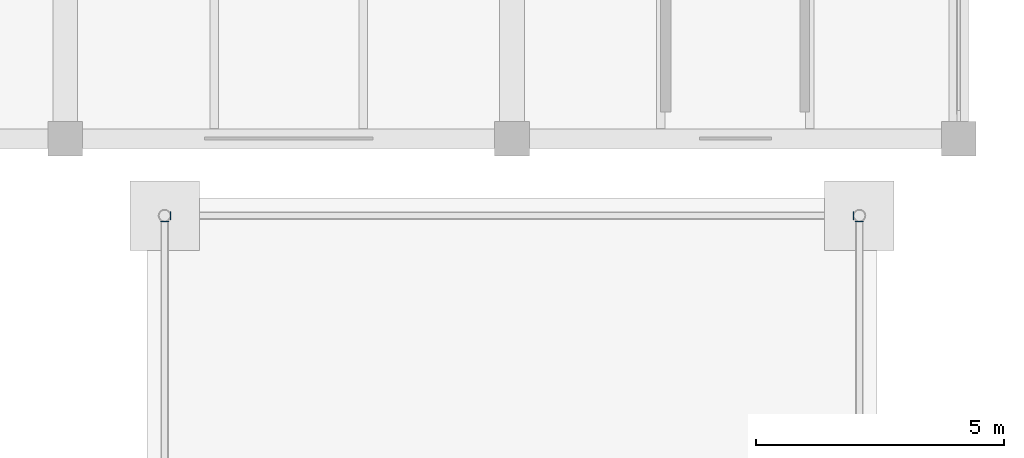
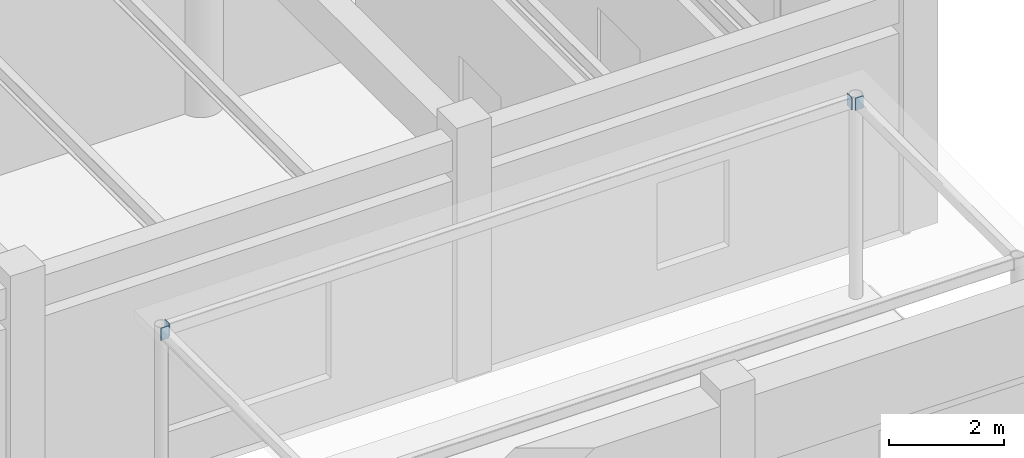
# One storey, part 43 of 76: 4 plates.
"""IFC4 building model written with IfcOpenShell, lengths in metres."""

from ifc_helpers import new_model, si_unit, direction, frame, origin, origin_2d, place, context, subcontext, project, spatial, rectangle, extrude, material, layer, layer_set, type_object, element, save


model = new_model("IFC4")

# Units and contexts
model_context = context("Model", 3, precision=1e-05, world=origin(), true_north=direction((0.0, 1.0)))
body_context = subcontext(model_context, "Body", "Model", "MODEL_VIEW")
ifc_project = project(units=[si_unit("LENGTHUNIT", "METRE"), si_unit("AREAUNIT", "SQUARE_METRE"), si_unit("VOLUMEUNIT", "CUBIC_METRE"), si_unit("PLANEANGLEUNIT", "RADIAN"), si_unit("MASSUNIT", "GRAM", prefix="KILO")], contexts=[model_context])

# Site, building, storey
site_placement = place(None, origin())
site = spatial("IfcSite", under=ifc_project, at=site_placement, CompositionType="ELEMENT")
building_placement = place(site_placement, origin())
building = spatial("IfcBuilding", under=site, at=building_placement, Name="Bozkorgan Art Gallery", CompositionType="ELEMENT")
storey_placement = place(building_placement, origin())
storey = spatial("IfcBuildingStorey", under=building, at=storey_placement, Name="L00", CompositionType="ELEMENT", Elevation=0.0)

# Plates
ifc_material = material(Name="Steel S355J2", Category="steel")
ifc_layer = layer(ifc_material, 0.01611328125, Name="Steel S355J2")
ifc_layer_set = layer_set([ifc_layer], Name="Steel S355J2")
plate_type = type_object("IfcPlateType", Name="PLATE-EC-14", PredefinedType="USERDEFINED", material=ifc_layer_set)
for number, where, z_axis, x_axis, name in (
    (1, (99.0, 36.72998046875, 4.044921875), (0.0, 0.0, 1.0), (0.0, 1.0, 0.0), "Auditorium Foyer Covered Walk chord end cap 2.2"),
    (2, (98.8798828125, 36.85009765625, 4.044921875), (0.0, 0.0, 1.0), (-1.0, 0.0, 0.0), "Auditorium Foyer Covered Walk chord end cap 3.1"),
    (3, (85.1201171875, 36.85009765625, 4.044921875), (0.0, 0.0, 1.0), (-1.0, 0.0, 0.0), "Auditorium Foyer Covered Walk chord end cap 3.2"),
    (4, (85.0, 36.72998046875, 4.044921875), (0.0, 0.0, 1.0), (0.0, -1.0, 0.0), "Auditorium Foyer Covered Walk chord end cap 4.1"),
):
    element("IfcPlate", number, at=place(storey_placement, frame(where, z_axis=z_axis, x_axis=x_axis)), inside=storey, type_object=plate_type, Name=name, ObjectType="END CAP PLATE", PredefinedType="USERDEFINED", context=body_context, shape_type="SweptSolid", body=[
        extrude(rectangle(XDim=0.01611328125, YDim=0.159912109375, at=origin_2d()), origin(), (0.0, 0.0, 1.0), 0.260009765625),
    ])

save(model, "model.ifc")
